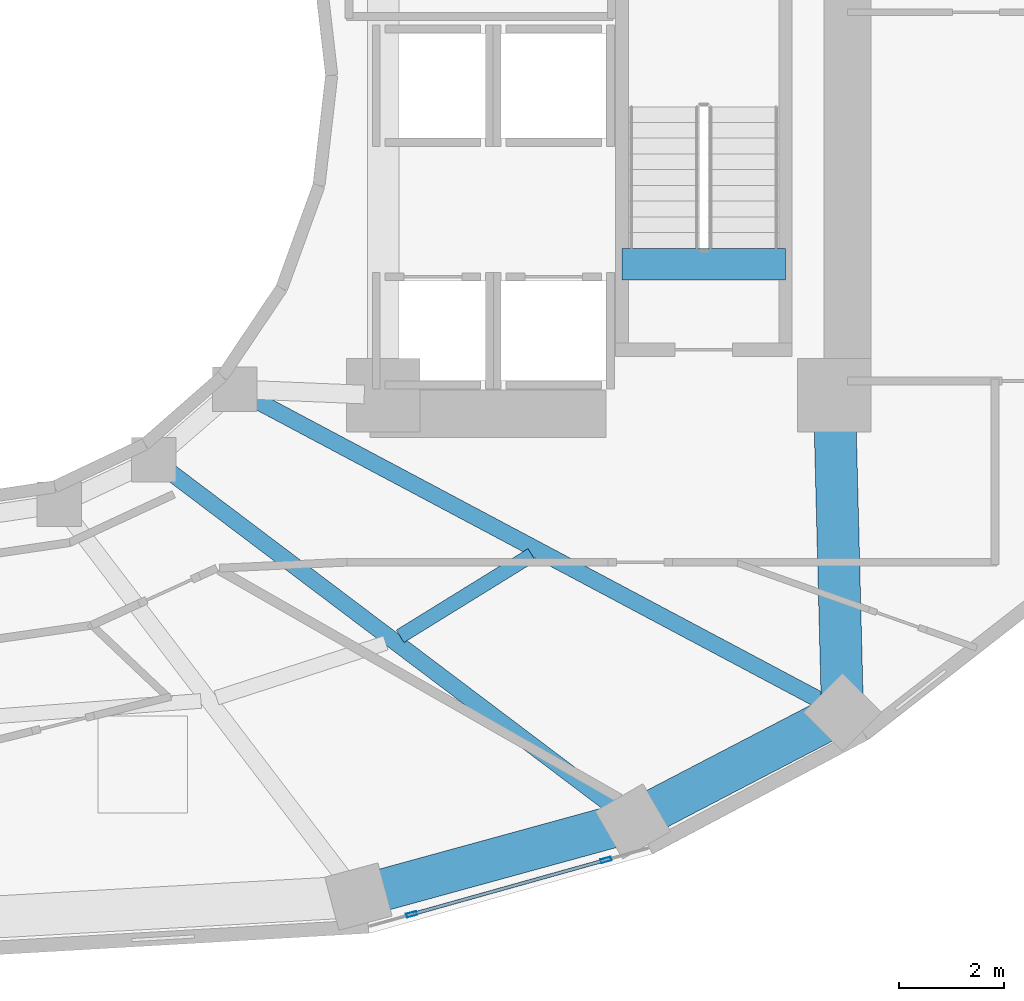
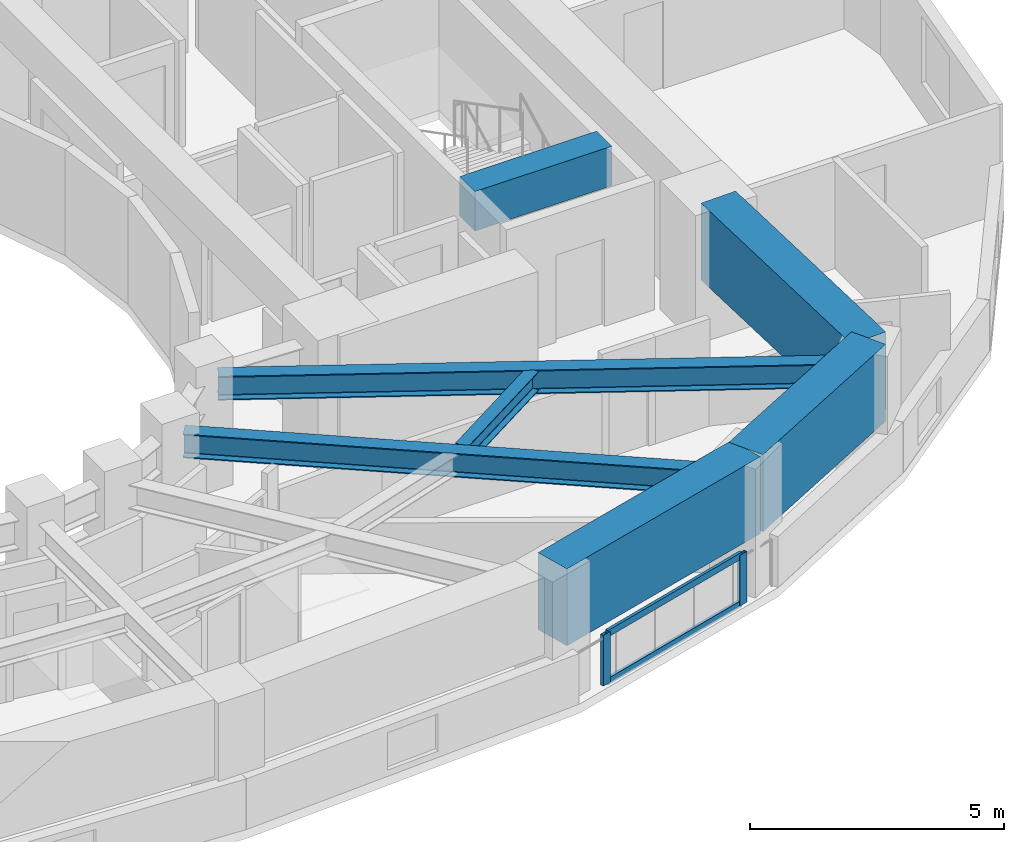
# One storey, part 4 of 16: 7 beams, 4 members, 1 element without a shape of its own.
"""IFC4 building model written with IfcOpenShell, lengths in metres."""

import ifcopenshell
import ifcopenshell.guid

model = None  # the IFC model being written
_history = None  # IfcOwnerHistory: only IFC2X3 demands one
_inside = {}  # id of a spatial element -> (the spatial element, [elements in it])
_under = {}  # id of a project, library or spatial element -> (it, [spatial elements below it])
_declared = {}  # id of a project -> (the project, [libraries it declares])
_typed = {}  # id of a type object -> (the type object, [elements of that type])
_made_of = {}  # id of a material, layer set ... -> (it, [elements and type objects made of it])


def new_model(schema):
    """Start an empty IFC model of exactly this schema.

    Asked for "IFC4X3", IfcOpenShell would pick the latest addendum, in which some entities
    have other attributes; the version numbers below select the first issue.
    IFC2X3 requires an IfcOwnerHistory on every rooted entity: one is made here for all.
    """
    global model, _history
    if schema == "IFC4X3":
        model = ifcopenshell.file(schema_version=(4, 3, 0, 0))
    else:
        model = ifcopenshell.file(schema=schema)
    _inside.clear()
    _under.clear()
    _declared.clear()
    _typed.clear()
    _made_of.clear()
    _history = None
    if model.schema == "IFC2X3":
        org = make("IfcOrganization", Name="unknown")
        user = make(
            "IfcPersonAndOrganization",
            ThePerson=make("IfcPerson", FamilyName="unknown"),
            TheOrganization=org,
        )
        app = make(
            "IfcApplication",
            ApplicationDeveloper=org,
            Version="unknown",
            ApplicationFullName="unknown",
            ApplicationIdentifier="unknown",
        )
        _history = make(
            "IfcOwnerHistory",
            OwningUser=user,
            OwningApplication=app,
            ChangeAction="ADDED",
            CreationDate=0,
        )
    return model


def make(cls, **values):
    """One entity of the class cls with the attributes given. An attribute that is None is left unset."""
    return model.create_entity(
        cls, **{name: value for name, value in values.items() if value is not None}
    )


def rooted(cls, **values):
    """An entity with a GlobalId (a new one), such as an element, a storey or a relation."""
    return make(cls, GlobalId=ifcopenshell.guid.new(), OwnerHistory=_history, **values)


def si_unit(unit_type, name, prefix=None):
    """IfcSIUnit, for example si_unit("LENGTHUNIT", "METRE", prefix="MILLI")."""
    return make("IfcSIUnit", UnitType=unit_type, Prefix=prefix, Name=name)


def assignment(units):
    """IfcUnitAssignment: the units of a project."""
    return None if units is None else make("IfcUnitAssignment", Units=units)


def point(xyz):
    """IfcCartesianPoint."""
    return None if xyz is None else make("IfcCartesianPoint", Coordinates=xyz)


def direction(xyz):
    """IfcDirection."""
    return None if xyz is None else make("IfcDirection", DirectionRatios=xyz)


def frame(location, z_axis=None, x_axis=None):
    """IfcAxis2Placement3D, a coordinate frame: its origin and axes. An axis left out is left unset."""
    return make(
        "IfcAxis2Placement3D",
        Location=point(location),
        Axis=direction(z_axis),
        RefDirection=direction(x_axis),
    )


def frame_2d(location, x_axis=None):
    """IfcAxis2Placement2D, a coordinate frame in the plane: its origin and x axis."""
    return make(
        "IfcAxis2Placement2D", Location=point(location), RefDirection=direction(x_axis)
    )


def origin():
    """The frame at (0, 0, 0) with its axes left unset."""
    return frame((0.0, 0.0, 0.0))


def origin_2d():
    """The frame at (0, 0) in the plane with its x axis left unset."""
    return frame_2d((0.0, 0.0))


def place(relative_to, where):
    """IfcLocalPlacement: puts the frame where relative to a parent placement (None: the world)."""
    return make(
        "IfcLocalPlacement", PlacementRelTo=relative_to, RelativePlacement=where
    )


def context(
    kind, dimensions, precision=None, world=None, true_north=None, identifier=None
):
    """IfcGeometricRepresentationContext, for example the 3D "Model" context."""
    return make(
        "IfcGeometricRepresentationContext",
        ContextIdentifier=identifier,
        ContextType=kind,
        CoordinateSpaceDimension=dimensions,
        Precision=precision,
        WorldCoordinateSystem=world,
        TrueNorth=true_north,
    )


def subcontext(parent, identifier, kind, view, scale=None):
    """IfcGeometricRepresentationSubContext, for example "Body" below "Model"."""
    return make(
        "IfcGeometricRepresentationSubContext",
        ContextIdentifier=identifier,
        ContextType=kind,
        ParentContext=parent,
        TargetScale=scale,
        TargetView=view,
    )


def project(units=None, contexts=None):
    """IfcProject with its units and contexts."""
    return rooted(
        "IfcProject",
        Name="project",
        RepresentationContexts=contexts,
        UnitsInContext=assignment(units),
    )


def spatial(cls, under=None, at=None, **own):
    """A site, building, storey or space (cls), placed at a placement, below another one or the project."""
    s = rooted(cls, ObjectPlacement=at, **own)
    if under is not None:
        _under.setdefault(under.id(), (under, []))[1].append(s)
    return s


def profile(cls, at=None, kind="AREA", **sizes):
    """A parametric profile (cls). Its sizes go by their IFC names, for example OverallWidth=200.0."""
    return make(cls, ProfileType=kind, Position=at, **sizes)


def rectangle(**sizes):
    """IfcRectangleProfileDef."""
    return profile("IfcRectangleProfileDef", **sizes)


def hollow_rectangle(**sizes):
    """IfcRectangleHollowProfileDef."""
    return profile("IfcRectangleHollowProfileDef", **sizes)


def i_section(**sizes):
    """IfcIShapeProfileDef."""
    return profile("IfcIShapeProfileDef", **sizes)


def extrude(swept, where, along, depth):
    """IfcExtrudedAreaSolid: the profile swept, set in the frame where, extruded along a direction by depth."""
    return make(
        "IfcExtrudedAreaSolid",
        SweptArea=swept,
        Position=where,
        ExtrudedDirection=direction(along),
        Depth=depth,
    )


def shape(context_of_items, identifier, shape_type, items):
    """IfcShapeRepresentation: the items that make up one representation, for example the "Body"."""
    return make(
        "IfcShapeRepresentation",
        ContextOfItems=context_of_items,
        RepresentationIdentifier=identifier,
        RepresentationType=shape_type,
        Items=items,
    )


def material(Name=None, Category=None):
    """IfcMaterial."""
    return make("IfcMaterial", Name=Name, Category=Category)


def layer(
    of_material, thickness, ventilated=None, Name=None, Category=None, Priority=None
):
    """IfcMaterialLayer: one layer of a wall or slab, of a material (None: an air gap)."""
    return make(
        "IfcMaterialLayer",
        Material=of_material,
        LayerThickness=thickness,
        IsVentilated=ventilated,
        Name=Name,
        Category=Category,
        Priority=Priority,
    )


def layer_set(layers, Name=None):
    """IfcMaterialLayerSet."""
    return make("IfcMaterialLayerSet", MaterialLayers=layers, LayerSetName=Name)


def material_profile(
    of_material, cross_section, Name=None, Category=None, Priority=None
):
    """IfcMaterialProfile: a cross section and its material."""
    return make(
        "IfcMaterialProfile",
        Name=Name,
        Material=of_material,
        Profile=cross_section,
        Priority=Priority,
        Category=Category,
    )


def profile_set(profiles, Name=None, composite=None):
    """IfcMaterialProfileSet."""
    return make(
        "IfcMaterialProfileSet",
        Name=Name,
        MaterialProfiles=profiles,
        CompositeProfile=composite,
    )


def made_of(thing, what):
    """Note that an element or type object is made of a material, layer set ...; save() writes the relation."""
    if what is not None:
        _made_of.setdefault(what.id(), (what, []))[1].append(thing)
    return thing


def type_object(cls, material=None, **own):
    """A type object (cls), such as IfcWallType, which elements share."""
    return made_of(rooted(cls, **own), material)


def element(
    cls,
    number,
    at=None,
    inside=None,
    cuts=None,
    type_object=None,
    material=None,
    context=None,
    identifier="Body",
    shape_type=None,
    held_by="IfcProductDefinitionShape",
    body=None,
    shapes=None,
    **own,
):
    """One element of the class cls, such as IfcWall. Its Tag is "e" and its number.

    at: its placement. inside: the storey or other place that contains it. cuts: it is an
    opening in that element (IfcRelVoidsElement). A single representation is given by context,
    identifier, shape_type and body (its items); several are given by shapes. held_by: the class
    of the entity that holds the representations. save() writes the other relations.
    """
    e = rooted(cls, Tag="e%d" % number, ObjectPlacement=at, **own)
    if body is not None:
        shapes = [shape(context, identifier, shape_type, body)]
    if shapes is not None:
        e.Representation = make(held_by, Representations=shapes)
    if inside is not None:
        _inside.setdefault(inside.id(), (inside, []))[1].append(e)
    if cuts is not None:
        rooted(
            "IfcRelVoidsElement", RelatingBuildingElement=cuts, RelatedOpeningElement=e
        )
    if type_object is not None:
        _typed.setdefault(type_object.id(), (type_object, []))[1].append(e)
    return made_of(e, material)


def aggregate(whole, parts):
    """IfcRelAggregates: a whole, such as a stair, and the parts it consists of."""
    return rooted("IfcRelAggregates", RelatingObject=whole, RelatedObjects=parts)


def save(model, path):
    """Write the relations noted so far, then the file.

    IfcRelAggregates (storeys below a building ...), IfcRelContainedInSpatialStructure (elements
    in a storey), IfcRelDefinesByType, IfcRelAssociatesMaterial and IfcRelDeclares: one each for
    every whole, place, type object, material and project.
    """
    for whole, parts in _under.values():
        aggregate(whole, parts)
    for where, things in _inside.values():
        rooted(
            "IfcRelContainedInSpatialStructure",
            RelatedElements=things,
            RelatingStructure=where,
        )
    for kind, things in _typed.values():
        rooted("IfcRelDefinesByType", RelatedObjects=things, RelatingType=kind)
    for what, things in _made_of.values():
        rooted("IfcRelAssociatesMaterial", RelatedObjects=things, RelatingMaterial=what)
    for by, libraries in _declared.values():
        rooted("IfcRelDeclares", RelatingContext=by, RelatedDefinitions=libraries)
    model.write(path)


model = new_model("IFC4")

# Units and contexts
model_context = context("Model", 3, precision=1e-05, world=origin(), true_north=direction((0.0, 1.0)))
body_context = subcontext(model_context, "Body", "Model", "MODEL_VIEW")
ifc_project = project(units=[si_unit("LENGTHUNIT", "METRE"), si_unit("AREAUNIT", "SQUARE_METRE"), si_unit("VOLUMEUNIT", "CUBIC_METRE"), si_unit("PLANEANGLEUNIT", "RADIAN"), si_unit("MASSUNIT", "GRAM", prefix="KILO")], contexts=[model_context])

# Site, building, storey
site_placement = place(None, origin())
site = spatial("IfcSite", under=ifc_project, at=site_placement, CompositionType="ELEMENT")
building_placement = place(site_placement, origin())
building = spatial("IfcBuilding", under=site, at=building_placement, Name="Solvane Sanctuary Tower", CompositionType="ELEMENT")
storey_placement = place(building_placement, frame((0.0, 0.0, 82.5)))
storey = spatial("IfcBuildingStorey", under=building, at=storey_placement, Name="L24", CompositionType="ELEMENT", Elevation=82.5)

# Beams
ifc_material_1 = material(Name="Concrete C70/85", Category="concrete")
ifc_material_profile_1 = material_profile(ifc_material_1, rectangle(XDim=0.60009765625, YDim=0.949951171875, at=origin_2d()), Name="RC600X950")
ifc_profile_set_1 = profile_set([ifc_material_profile_1], Name="Concrete C70/85")
beam_type_1 = type_object("IfcBeamType", Name="Beam B-COUPLE RC600X950", PredefinedType="LINTEL", material=ifc_profile_set_1)
beam_1_placement = place(storey_placement, frame((44.64990234375, 19.399169921875, 2.625), z_axis=(1.0, 0.0, 0.0), x_axis=(0.0, 1.0, 0.0)))
element("IfcBeam", 1, at=beam_1_placement, inside=storey, type_object=beam_type_1, Name="L24 ST-2 Stair Floor Landing Trimmer", PredefinedType="LINTEL", context=body_context, shape_type="SweptSolid", body=[
    extrude(rectangle(XDim=0.60009765625, YDim=0.949951171875, at=origin_2d()), origin(), (0.0, 0.0, 1.0), 3.1201171875),
])
ifc_material_2 = material(Name="Steel ASTM A992 Grade 50", Category="steel")
ifc_material_profile_2 = material_profile(ifc_material_2, i_section(OverallWidth=0.31494140625, OverallDepth=0.575927734375, WebThickness=0.01513671875, FlangeThickness=0.0244140625, FilletRadius=0.014892578125, at=origin_2d()), Name="W21X122")
ifc_profile_set_2 = profile_set([ifc_material_profile_2], Name="Steel ASTM A992 Grade 50")
beam_type_2 = type_object("IfcBeamType", Name="Beam B-RAD-Z2 W21X122", PredefinedType="BEAM", material=ifc_profile_set_2)
beam_2_placement = place(storey_placement, frame((35.95361328125, 15.504638671875, 2.31005859375), z_axis=(0.798116040134, -0.602503764703, 0.0), x_axis=(0.602503764703, 0.798116040134, 0.0)))
element("IfcBeam", 2, at=beam_2_placement, inside=storey, type_object=beam_type_2, Name="L24 Radial Composite Floor Beam 13", PredefinedType="BEAM", context=body_context, shape_type="SweptSolid", body=[
    extrude(i_section(OverallWidth=0.31494140625, OverallDepth=0.575927734375, WebThickness=0.01513671875, FlangeThickness=0.0244140625, FilletRadius=0.014892578125, at=origin_2d()), origin(), (0.0, 0.0, 1.0), 10.876953125),
])
beam_3_placement = place(storey_placement, frame((37.522216796875, 16.886474609375, 2.31005859375), z_axis=(0.882951984843, -0.469463302572, 0.0), x_axis=(0.469463302572, 0.882951984843, 0.0)))
element("IfcBeam", 3, at=beam_3_placement, inside=storey, type_object=beam_type_2, Name="L24 Radial Composite Floor Beam 14", PredefinedType="BEAM", context=body_context, shape_type="SweptSolid", body=[
    extrude(i_section(OverallWidth=0.31494140625, OverallDepth=0.575927734375, WebThickness=0.01513671875, FlangeThickness=0.0244140625, FilletRadius=0.014892578125, at=origin_2d()), origin(), (0.0, 0.0, 1.0), 12.552734375),
])
ifc_material_profile_3 = material_profile(ifc_material_2, i_section(OverallWidth=0.280029296875, OverallDepth=0.462890625, WebThickness=0.0107421875, FlangeThickness=0.017333984375, FilletRadius=0.013916015625, at=origin_2d()), Name="W18X76")
ifc_profile_set_3 = profile_set([ifc_material_profile_3], Name="Steel ASTM A992 Grade 50")
beam_type_3 = type_object("IfcBeamType", Name="Beam B-SEC-JOIST W18X76", PredefinedType="JOIST", material=ifc_profile_set_3)
beam_4_placement = place(storey_placement, frame((40.423828125, 12.30810546875, 2.366455078125), z_axis=(0.85065981691, 0.525716535687, 0.0), x_axis=(-0.525716535687, 0.85065981691, 0.0)))
element("IfcBeam", 4, at=beam_4_placement, inside=storey, type_object=beam_type_3, Name="L24 Secondary Circumferential Joist 13-14", PredefinedType="JOIST", context=body_context, shape_type="SweptSolid", body=[
    extrude(i_section(OverallWidth=0.280029296875, OverallDepth=0.462890625, WebThickness=0.0107421875, FlangeThickness=0.017333984375, FilletRadius=0.013916015625, at=origin_2d()), origin(), (0.0, 0.0, 1.0), 2.951171875),
])
ifc_material_profile_4 = material_profile(ifc_material_1, rectangle(XDim=0.800048828125, YDim=1.85009765625, at=origin_2d()), Name="RC800X1850")
ifc_profile_set_4 = profile_set([ifc_material_profile_4], Name="Concrete C70/85")
beam_type_4 = type_object("IfcBeamType", Name="Beam B-XFER-BLK RC800X1850", PredefinedType="BEAM", material=ifc_profile_set_4)
beam_5_placement = place(storey_placement, frame((39.62939453125, 7.347900390625, 2.175048828125), z_axis=(0.964365802426, 0.264572483661, 0.0), x_axis=(-0.264572483661, 0.964365802426, 0.0)))
element("IfcBeam", 5, at=beam_5_placement, inside=storey, type_object=beam_type_4, Name="L24 Perimeter Step Transfer Ring NTC12-NTC13", PredefinedType="BEAM", context=body_context, shape_type="SweptSolid", body=[
    extrude(rectangle(XDim=0.800048828125, YDim=1.85009765625, at=origin_2d()), origin(), (0.0, 0.0, 1.0), 5.422119140625),
])
beam_6_placement = place(storey_placement, frame((44.8583984375, 8.782470703125, 2.175048828125), z_axis=(0.887022336415, 0.46172651505, 0.0), x_axis=(-0.46172651505, 0.887022336415, 0.0)))
element("IfcBeam", 6, at=beam_6_placement, inside=storey, type_object=beam_type_4, Name="L24 Perimeter Step Transfer Ring NTC13-NTC14", PredefinedType="BEAM", context=body_context, shape_type="SweptSolid", body=[
    extrude(rectangle(XDim=0.800048828125, YDim=1.85009765625, at=origin_2d()), origin(), (0.0, 0.0, 1.0), 4.50341796875),
])
beam_7_placement = place(storey_placement, frame((48.85302734375, 10.86181640625, 2.175048828125), z_axis=(-0.025359457149, 0.999678397252, 0.0), x_axis=(-0.999678397252, -0.025359457149, 0.0)))
element("IfcBeam", 7, at=beam_7_placement, inside=storey, type_object=beam_type_4, Name="L24 Perimeter Step Transfer Ring NTC14-CE2", PredefinedType="BEAM", context=body_context, shape_type="SweptSolid", body=[
    extrude(rectangle(XDim=0.800048828125, YDim=1.85009765625, at=origin_2d()), origin(), (0.0, 0.0, 1.0), 5.679931640625),
])

# Curtain wall, members
ifc_material_3 = material(Name="Anodised Aluminium 6063-T6", Category="aluminium")
ifc_layer = layer(ifc_material_3, 0.179931640625, Name="Anodised Aluminium 6063-T6")
ifc_layer_set = layer_set([ifc_layer], Name="Anodised Aluminium 6063-T6")
curtain_wall_type = type_object("IfcCurtainWallType", Name="Curtain Wall CW-FRIT-Z2", PredefinedType="NOTDEFINED", material=ifc_layer_set)
curtain_wall_placement = place(storey_placement, origin())
curtain_wall = element("IfcCurtainWall", 8, at=curtain_wall_placement, inside=storey, type_object=curtain_wall_type, Name="L24 CW-FRIT-Z2 Facade Run 19", PredefinedType="NOTDEFINED")
ifc_material_profile_5 = material_profile(ifc_material_3, hollow_rectangle(XDim=0.074951171875, YDim=0.199951171875, WallThickness=0.00390625, at=origin_2d()), Name="ALU200X75X4")
ifc_profile_set_5 = profile_set([ifc_material_profile_5], Name="Anodised Aluminium 6063-T6")
member_type_1 = type_object("IfcMemberType", Name="Member M-CW-MUL-1 ALU200X75X4", PredefinedType="MULLION", material=ifc_profile_set_5)
member_1_placement = place(storey_placement, frame((40.64208984375, 7.009521484375, 0.0), z_axis=(0.0, 0.0, 1.0), x_axis=(-0.269704615814, 0.962943103308, 0.0)))
member_1 = element("IfcMember", 9, at=member_1_placement, type_object=member_type_1, Name="CW-FRIT-Z2 mullion 1", PredefinedType="MULLION", context=body_context, shape_type="SweptSolid", body=[
    extrude(hollow_rectangle(XDim=0.074951171875, YDim=0.199951171875, WallThickness=0.00390625, at=origin_2d()), origin(), (0.0, 0.0, 1.0), 1.219970703125),
])
member_2_placement = place(storey_placement, frame((44.34765625, 8.047607421875, 0.0), z_axis=(0.0, 0.0, 1.0), x_axis=(-0.269704615814, 0.962943103308, 0.0)))
member_2 = element("IfcMember", 10, at=member_2_placement, type_object=member_type_1, Name="CW-FRIT-Z2 mullion 2", PredefinedType="MULLION", context=body_context, shape_type="SweptSolid", body=[
    extrude(hollow_rectangle(XDim=0.074951171875, YDim=0.199951171875, WallThickness=0.00390625, at=origin_2d()), origin(), (0.0, 0.0, 1.0), 1.219970703125),
])
ifc_material_profile_6 = material_profile(ifc_material_3, hollow_rectangle(XDim=0.06494140625, YDim=0.159912109375, WallThickness=0.00341796875, at=origin_2d()), Name="ALU160X65X3.5")
ifc_profile_set_6 = profile_set([ifc_material_profile_6], Name="Anodised Aluminium 6063-T6")
member_type_2 = type_object("IfcMemberType", Name="Member M-CW-TRN-1 ALU160X65X3.5", PredefinedType="USERDEFINED", material=ifc_profile_set_6)
member_3_placement = place(storey_placement, frame((40.67822265625, 7.019775390625, 0.032470703125), z_axis=(0.9629465453, 0.269692326355, 0.0), x_axis=(-0.269692326355, 0.9629465453, 0.0)))
member_3 = element("IfcMember", 11, at=member_3_placement, type_object=member_type_2, Name="CW-FRIT-Z2 transom 1.1", ObjectType="TRANSOM", PredefinedType="USERDEFINED", context=body_context, shape_type="SweptSolid", body=[
    extrude(hollow_rectangle(XDim=0.06494140625, YDim=0.159912109375, WallThickness=0.00341796875, at=origin_2d()), origin(), (0.0, 0.0, 1.0), 3.773193359375),
])
member_4_placement = place(storey_placement, frame((40.67822265625, 7.019775390625, 1.1875), z_axis=(0.9629465453, 0.269692326355, 0.0), x_axis=(-0.269692326355, 0.9629465453, 0.0)))
member_4 = element("IfcMember", 12, at=member_4_placement, type_object=member_type_2, Name="CW-FRIT-Z2 transom 1.2", ObjectType="TRANSOM", PredefinedType="USERDEFINED", context=body_context, shape_type="SweptSolid", body=[
    extrude(hollow_rectangle(XDim=0.06494140625, YDim=0.159912109375, WallThickness=0.00341796875, at=origin_2d()), origin(), (0.0, 0.0, 1.0), 3.773193359375),
])
aggregate(curtain_wall, [member_1, member_2, member_3, member_4])

save(model, "model.ifc")
